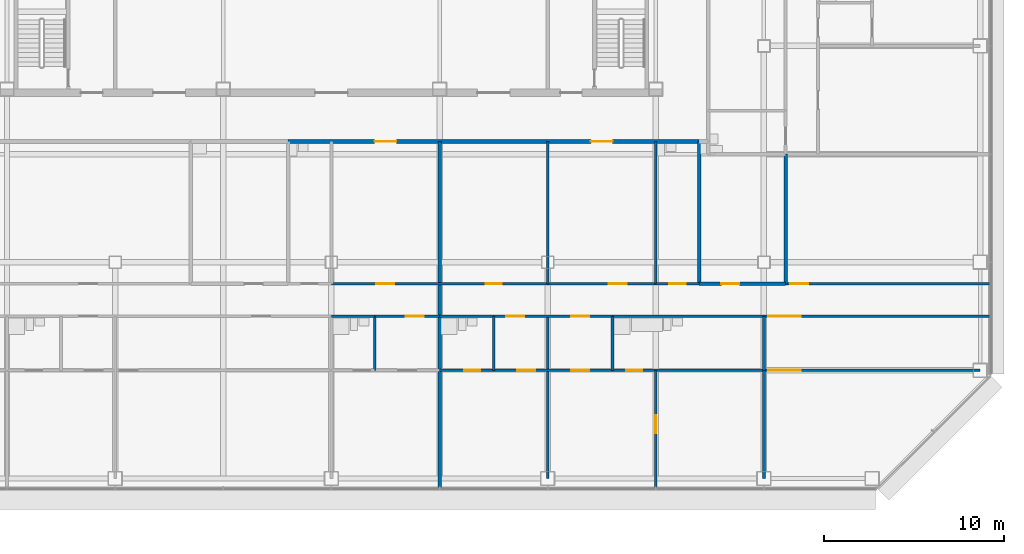
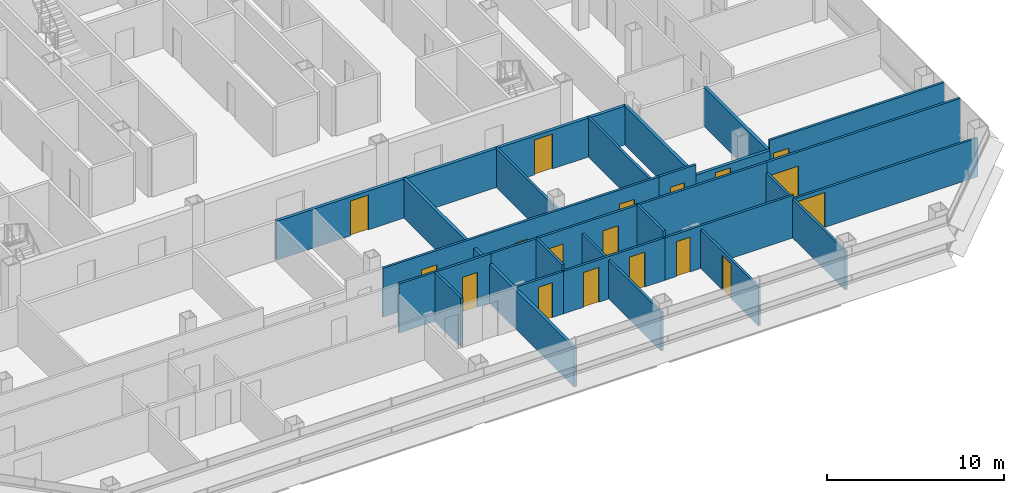
# One storey, part 20 of 26: 27 walls, 18 doors, 18 openings.
"""IFC4 building model written with IfcOpenShell, lengths in metres."""

import ifcopenshell
import ifcopenshell.guid

model = None  # the IFC model being written
_history = None  # IfcOwnerHistory: only IFC2X3 demands one
_inside = {}  # id of a spatial element -> (the spatial element, [elements in it])
_under = {}  # id of a project, library or spatial element -> (it, [spatial elements below it])
_declared = {}  # id of a project -> (the project, [libraries it declares])
_typed = {}  # id of a type object -> (the type object, [elements of that type])
_made_of = {}  # id of a material, layer set ... -> (it, [elements and type objects made of it])


def new_model(schema):
    """Start an empty IFC model of exactly this schema.

    Asked for "IFC4X3", IfcOpenShell would pick the latest addendum, in which some entities
    have other attributes; the version numbers below select the first issue.
    IFC2X3 requires an IfcOwnerHistory on every rooted entity: one is made here for all.
    """
    global model, _history
    if schema == "IFC4X3":
        model = ifcopenshell.file(schema_version=(4, 3, 0, 0))
    else:
        model = ifcopenshell.file(schema=schema)
    _inside.clear()
    _under.clear()
    _declared.clear()
    _typed.clear()
    _made_of.clear()
    _history = None
    if model.schema == "IFC2X3":
        org = make("IfcOrganization", Name="unknown")
        user = make(
            "IfcPersonAndOrganization",
            ThePerson=make("IfcPerson", FamilyName="unknown"),
            TheOrganization=org,
        )
        app = make(
            "IfcApplication",
            ApplicationDeveloper=org,
            Version="unknown",
            ApplicationFullName="unknown",
            ApplicationIdentifier="unknown",
        )
        _history = make(
            "IfcOwnerHistory",
            OwningUser=user,
            OwningApplication=app,
            ChangeAction="ADDED",
            CreationDate=0,
        )
    return model


def make(cls, **values):
    """One entity of the class cls with the attributes given. An attribute that is None is left unset."""
    return model.create_entity(
        cls, **{name: value for name, value in values.items() if value is not None}
    )


def rooted(cls, **values):
    """An entity with a GlobalId (a new one), such as an element, a storey or a relation."""
    return make(cls, GlobalId=ifcopenshell.guid.new(), OwnerHistory=_history, **values)


def si_unit(unit_type, name, prefix=None):
    """IfcSIUnit, for example si_unit("LENGTHUNIT", "METRE", prefix="MILLI")."""
    return make("IfcSIUnit", UnitType=unit_type, Prefix=prefix, Name=name)


def assignment(units):
    """IfcUnitAssignment: the units of a project."""
    return None if units is None else make("IfcUnitAssignment", Units=units)


def point(xyz):
    """IfcCartesianPoint."""
    return None if xyz is None else make("IfcCartesianPoint", Coordinates=xyz)


def direction(xyz):
    """IfcDirection."""
    return None if xyz is None else make("IfcDirection", DirectionRatios=xyz)


def frame(location, z_axis=None, x_axis=None):
    """IfcAxis2Placement3D, a coordinate frame: its origin and axes. An axis left out is left unset."""
    return make(
        "IfcAxis2Placement3D",
        Location=point(location),
        Axis=direction(z_axis),
        RefDirection=direction(x_axis),
    )


def frame_2d(location, x_axis=None):
    """IfcAxis2Placement2D, a coordinate frame in the plane: its origin and x axis."""
    return make(
        "IfcAxis2Placement2D", Location=point(location), RefDirection=direction(x_axis)
    )


def origin():
    """The frame at (0, 0, 0) with its axes left unset."""
    return frame((0.0, 0.0, 0.0))


def place(relative_to, where):
    """IfcLocalPlacement: puts the frame where relative to a parent placement (None: the world)."""
    return make(
        "IfcLocalPlacement", PlacementRelTo=relative_to, RelativePlacement=where
    )


def context(
    kind, dimensions, precision=None, world=None, true_north=None, identifier=None
):
    """IfcGeometricRepresentationContext, for example the 3D "Model" context."""
    return make(
        "IfcGeometricRepresentationContext",
        ContextIdentifier=identifier,
        ContextType=kind,
        CoordinateSpaceDimension=dimensions,
        Precision=precision,
        WorldCoordinateSystem=world,
        TrueNorth=true_north,
    )


def subcontext(parent, identifier, kind, view, scale=None):
    """IfcGeometricRepresentationSubContext, for example "Body" below "Model"."""
    return make(
        "IfcGeometricRepresentationSubContext",
        ContextIdentifier=identifier,
        ContextType=kind,
        ParentContext=parent,
        TargetScale=scale,
        TargetView=view,
    )


def project(units=None, contexts=None):
    """IfcProject with its units and contexts."""
    return rooted(
        "IfcProject",
        Name="project",
        RepresentationContexts=contexts,
        UnitsInContext=assignment(units),
    )


def spatial(cls, under=None, at=None, **own):
    """A site, building, storey or space (cls), placed at a placement, below another one or the project."""
    s = rooted(cls, ObjectPlacement=at, **own)
    if under is not None:
        _under.setdefault(under.id(), (under, []))[1].append(s)
    return s


def profile(cls, at=None, kind="AREA", **sizes):
    """A parametric profile (cls). Its sizes go by their IFC names, for example OverallWidth=200.0."""
    return make(cls, ProfileType=kind, Position=at, **sizes)


def rectangle(**sizes):
    """IfcRectangleProfileDef."""
    return profile("IfcRectangleProfileDef", **sizes)


def extrude(swept, where, along, depth):
    """IfcExtrudedAreaSolid: the profile swept, set in the frame where, extruded along a direction by depth."""
    return make(
        "IfcExtrudedAreaSolid",
        SweptArea=swept,
        Position=where,
        ExtrudedDirection=direction(along),
        Depth=depth,
    )


def shape(context_of_items, identifier, shape_type, items):
    """IfcShapeRepresentation: the items that make up one representation, for example the "Body"."""
    return make(
        "IfcShapeRepresentation",
        ContextOfItems=context_of_items,
        RepresentationIdentifier=identifier,
        RepresentationType=shape_type,
        Items=items,
    )


def material(Name=None, Category=None):
    """IfcMaterial."""
    return make("IfcMaterial", Name=Name, Category=Category)


def layer(
    of_material, thickness, ventilated=None, Name=None, Category=None, Priority=None
):
    """IfcMaterialLayer: one layer of a wall or slab, of a material (None: an air gap)."""
    return make(
        "IfcMaterialLayer",
        Material=of_material,
        LayerThickness=thickness,
        IsVentilated=ventilated,
        Name=Name,
        Category=Category,
        Priority=Priority,
    )


def layer_set(layers, Name=None):
    """IfcMaterialLayerSet."""
    return make("IfcMaterialLayerSet", MaterialLayers=layers, LayerSetName=Name)


def made_of(thing, what):
    """Note that an element or type object is made of a material, layer set ...; save() writes the relation."""
    if what is not None:
        _made_of.setdefault(what.id(), (what, []))[1].append(thing)
    return thing


def type_object(cls, material=None, **own):
    """A type object (cls), such as IfcWallType, which elements share."""
    return made_of(rooted(cls, **own), material)


def element(
    cls,
    number,
    at=None,
    inside=None,
    cuts=None,
    type_object=None,
    material=None,
    context=None,
    identifier="Body",
    shape_type=None,
    held_by="IfcProductDefinitionShape",
    body=None,
    shapes=None,
    **own,
):
    """One element of the class cls, such as IfcWall. Its Tag is "e" and its number.

    at: its placement. inside: the storey or other place that contains it. cuts: it is an
    opening in that element (IfcRelVoidsElement). A single representation is given by context,
    identifier, shape_type and body (its items); several are given by shapes. held_by: the class
    of the entity that holds the representations. save() writes the other relations.
    """
    e = rooted(cls, Tag="e%d" % number, ObjectPlacement=at, **own)
    if body is not None:
        shapes = [shape(context, identifier, shape_type, body)]
    if shapes is not None:
        e.Representation = make(held_by, Representations=shapes)
    if inside is not None:
        _inside.setdefault(inside.id(), (inside, []))[1].append(e)
    if cuts is not None:
        rooted(
            "IfcRelVoidsElement", RelatingBuildingElement=cuts, RelatedOpeningElement=e
        )
    if type_object is not None:
        _typed.setdefault(type_object.id(), (type_object, []))[1].append(e)
    return made_of(e, material)


def fill(opening, filler):
    """IfcRelFillsElement: the door or window that sits in an opening."""
    return rooted(
        "IfcRelFillsElement",
        RelatingOpeningElement=opening,
        RelatedBuildingElement=filler,
    )


def aggregate(whole, parts):
    """IfcRelAggregates: a whole, such as a stair, and the parts it consists of."""
    return rooted("IfcRelAggregates", RelatingObject=whole, RelatedObjects=parts)


def save(model, path):
    """Write the relations noted so far, then the file.

    IfcRelAggregates (storeys below a building ...), IfcRelContainedInSpatialStructure (elements
    in a storey), IfcRelDefinesByType, IfcRelAssociatesMaterial and IfcRelDeclares: one each for
    every whole, place, type object, material and project.
    """
    for whole, parts in _under.values():
        aggregate(whole, parts)
    for where, things in _inside.values():
        rooted(
            "IfcRelContainedInSpatialStructure",
            RelatedElements=things,
            RelatingStructure=where,
        )
    for kind, things in _typed.values():
        rooted("IfcRelDefinesByType", RelatedObjects=things, RelatingType=kind)
    for what, things in _made_of.values():
        rooted("IfcRelAssociatesMaterial", RelatedObjects=things, RelatingMaterial=what)
    for by, libraries in _declared.values():
        rooted("IfcRelDeclares", RelatingContext=by, RelatedDefinitions=libraries)
    model.write(path)


model = new_model("IFC4")

# Units and contexts
model_context = context("Model", 3, precision=1e-05, world=origin(), true_north=direction((0.0, 1.0)))
body_context = subcontext(model_context, "Body", "Model", "MODEL_VIEW")
ifc_project = project(units=[si_unit("LENGTHUNIT", "METRE"), si_unit("AREAUNIT", "SQUARE_METRE"), si_unit("VOLUMEUNIT", "CUBIC_METRE"), si_unit("PLANEANGLEUNIT", "RADIAN"), si_unit("MASSUNIT", "GRAM", prefix="KILO")], contexts=[model_context])

# Site, building, storey
site_placement = place(None, origin())
site = spatial("IfcSite", under=ifc_project, at=site_placement, CompositionType="ELEMENT")
building_placement = place(site_placement, origin())
building = spatial("IfcBuilding", under=site, at=building_placement, Name="Sorahane Residences", CompositionType="ELEMENT")
storey_placement = place(building_placement, frame((0.0, 0.0, 110.60009765625)))
storey = spatial("IfcBuildingStorey", under=building, at=storey_placement, Name="L24", CompositionType="ELEMENT", Elevation=110.60009765625)

# Wall, openings, doors
ifc_material_1 = material(Name="Concrete blockwork C20 wall", Category="masonry")
ifc_layer_1 = layer(ifc_material_1, 0.199951171875)
ifc_layer_set_1 = layer_set([ifc_layer_1], Name="Corridor wall 200 EI 120")
wall_type_1 = type_object("IfcWallType", Name="Corridor wall 200 EI 120", PredefinedType="SOLIDWALL", material=ifc_layer_set_1)
wall_1_placement = place(storey_placement, frame((21.60009765625, 18.699951171875, 0.0), z_axis=(0.0, 0.0, 1.0), x_axis=(1.0, 0.0, 0.0)))
wall_1 = element("IfcWall", 1, at=wall_1_placement, inside=storey, type_object=wall_type_1, Name="L24 corridor wall", PredefinedType="SOLIDWALL", context=body_context, shape_type="SweptSolid", body=[
    extrude(rectangle(XDim=22.7998046875, YDim=0.199951171875, at=frame_2d((11.39990234375, 0.0))), origin(), (0.0, 0.0, 1.0), 2.679931640625),
])
opening_1_placement = place(wall_1_placement, frame((4.800048828125, 0.0, 0.0)))
opening_1 = element("IfcOpeningElement", 2, at=opening_1_placement, cuts=wall_1, Name="Opening L24-44", PredefinedType="OPENING", context=body_context, shape_type="SweptSolid", body=[
    extrude(rectangle(XDim=1.199951171875, YDim=2.39990234375, at=frame_2d((0.60009765625, 1.199951171875))), frame((0.0, 0.10986328125, 0.0), z_axis=(0.0, -1.0, 0.0), x_axis=(1.0, 0.0, 0.0)), (0.0, 0.0, 1.0), 0.219970703125),
])
opening_2_placement = place(wall_1_placement, frame((16.800048828125, 0.0, 0.0)))
opening_2 = element("IfcOpeningElement", 3, at=opening_2_placement, cuts=wall_1, Name="Opening L24-45", PredefinedType="OPENING", context=body_context, shape_type="SweptSolid", body=[
    extrude(rectangle(XDim=1.199951171875, YDim=2.39990234375, at=frame_2d((0.60009765625, 1.199951171875))), frame((0.0, 0.10986328125, 0.0), z_axis=(0.0, -1.0, 0.0), x_axis=(1.0, 0.0, 0.0)), (0.0, 0.0, 1.0), 0.219970703125),
])
ifc_material_2 = material(Name="Timber veneered fire door", Category="wood")
door_type_1 = type_object("IfcDoorType", Name="Flat entrance door 1200x2400 FD60", OperationType="NOTDEFINED", PredefinedType="DOOR", material=ifc_material_2)
door_1_placement = place(opening_1_placement, frame((1.199951171875, 0.0, 0.0), z_axis=(0.0, 0.0, 1.0), x_axis=(-1.0, 0.0, 0.0)))
door_1 = element("IfcDoor", 4, at=door_1_placement, inside=storey, type_object=door_type_1, Name="Flat entrance door L24-44", OperationType="SINGLE_SWING_LEFT", OverallHeight=2.39990234375, OverallWidth=1.199951171875, PredefinedType="DOOR", context=body_context, shape_type="SweptSolid", body=[
    extrude(rectangle(XDim=1.199951171875, YDim=2.39990234375, at=frame_2d((0.60009765625, 1.199951171875))), frame((0.0, 0.02490234375, 0.0), z_axis=(0.0, -1.0, 0.0), x_axis=(1.0, 0.0, 0.0)), (0.0, 0.0, 1.0), 0.050048828125),
])
fill(opening_1, door_1)
door_2_placement = place(opening_2_placement, frame((1.199951171875, 0.0, 0.0), z_axis=(0.0, 0.0, 1.0), x_axis=(-1.0, 0.0, 0.0)))
door_2 = element("IfcDoor", 5, at=door_2_placement, inside=storey, type_object=door_type_1, Name="Flat entrance door L24-45", OperationType="SINGLE_SWING_RIGHT", OverallHeight=2.39990234375, OverallWidth=1.199951171875, PredefinedType="DOOR", context=body_context, shape_type="SweptSolid", body=[
    extrude(rectangle(XDim=1.199951171875, YDim=2.39990234375, at=frame_2d((0.60009765625, 1.199951171875))), frame((0.0, 0.02490234375, 0.0), z_axis=(0.0, -1.0, 0.0), x_axis=(1.0, 0.0, 0.0)), (0.0, 0.0, 1.0), 0.050048828125),
])
fill(opening_2, door_2)

# Walls
ifc_material_3 = material(Name="Concrete blockwork C20 wall", Category="masonry")
ifc_layer_2 = layer(ifc_material_3, 0.199951171875)
ifc_layer_set_2 = layer_set([ifc_layer_2], Name="Kitchen wall 200 EI 180")
wall_type_2 = type_object("IfcWallType", Name="Kitchen wall 200 EI 180", PredefinedType="SOLIDWALL", material=ifc_layer_set_2)
wall_2_placement = place(storey_placement, frame((44.39990234375, 10.800048828125, 0.0), z_axis=(0.0, 0.0, 1.0), x_axis=(0.0, 1.0, 0.0)))
element("IfcWall", 6, at=wall_2_placement, inside=storey, type_object=wall_type_2, Name="L24 kitchen wall", PredefinedType="SOLIDWALL", context=body_context, shape_type="SweptSolid", body=[
    extrude(rectangle(XDim=7.89990234375, YDim=0.199951171875, at=frame_2d((3.949951171875, 0.0))), origin(), (0.0, 0.0, 1.0), 2.679931640625),
])
wall_3_placement = place(storey_placement, frame((49.199951171875, 10.800048828125, 0.0), z_axis=(0.0, 0.0, 1.0), x_axis=(0.0, 1.0, 0.0)))
element("IfcWall", 7, at=wall_3_placement, inside=storey, type_object=wall_type_2, Name="L24 kitchen wall", PredefinedType="SOLIDWALL", context=body_context, shape_type="SweptSolid", body=[
    extrude(rectangle(XDim=7.199951171875, YDim=0.199951171875, at=frame_2d((3.60009765625, 0.0))), origin(), (0.0, 0.0, 1.0), 2.679931640625),
])

# Wall, opening, door
wall_4_placement = place(storey_placement, frame((44.39990234375, 10.800048828125, 0.0), z_axis=(0.0, 0.0, 1.0), x_axis=(1.0, 0.0, 0.0)))
wall_4 = element("IfcWall", 8, at=wall_4_placement, inside=storey, type_object=wall_type_2, Name="L24 kitchen wall", PredefinedType="SOLIDWALL", context=body_context, shape_type="SweptSolid", body=[
    extrude(rectangle(XDim=4.800048828125, YDim=0.199951171875, at=frame_2d((2.39990234375, 0.0))), origin(), (0.0, 0.0, 1.0), 2.679931640625),
])
opening_3_placement = place(wall_4_placement, frame((1.239990234375, 0.0, 0.0)))
opening_3 = element("IfcOpeningElement", 9, at=opening_3_placement, cuts=wall_4, Name="Opening L24-19", PredefinedType="OPENING", context=body_context, shape_type="SweptSolid", body=[
    extrude(rectangle(XDim=1.0, YDim=2.39990234375, at=frame_2d((0.5, 1.199951171875))), frame((0.0, 0.10986328125, 0.0), z_axis=(0.0, -1.0, 0.0), x_axis=(1.0, 0.0, 0.0)), (0.0, 0.0, 1.0), 0.219970703125),
])
ifc_material_4 = material(Name="Steel", Category="steel")
door_type_2 = type_object("IfcDoorType", Name="Kitchen door 1000x2400 FD120", OperationType="NOTDEFINED", PredefinedType="DOOR", material=ifc_material_4)
door_3_placement = place(opening_3_placement, origin())
door_3 = element("IfcDoor", 10, at=door_3_placement, inside=storey, type_object=door_type_2, Name="Kitchen door L24-19", OperationType="SINGLE_SWING_LEFT", OverallHeight=2.39990234375, OverallWidth=1.0, PredefinedType="DOOR", context=body_context, shape_type="SweptSolid", body=[
    extrude(rectangle(XDim=1.0, YDim=2.39990234375, at=frame_2d((0.5, 1.199951171875))), frame((0.0, 0.02490234375, 0.0), z_axis=(0.0, -1.0, 0.0), x_axis=(1.0, 0.0, 0.0)), (0.0, 0.0, 1.0), 0.050048828125),
])
fill(opening_3, door_3)

# Walls
ifc_material_5 = material(Name="Gypsum board partition on steel studs", Category="steel")
ifc_layer_3 = layer(ifc_material_5, 0.14990234375)
ifc_layer_set_3 = layer_set([ifc_layer_3], Name="Partition 150 EI 90")
wall_type_3 = type_object("IfcWallType", Name="Partition 150 EI 90", PredefinedType="PARTITIONING", material=ifc_layer_set_3)
wall_5_placement = place(storey_placement, frame((36.0, 0.0, 0.0), z_axis=(0.0, 0.0, 1.0), x_axis=(0.0, 1.0, 0.0)))
element("IfcWall", 11, at=wall_5_placement, inside=storey, type_object=wall_type_3, Name="L24 partition", PredefinedType="PARTITIONING", context=body_context, shape_type="SweptSolid", body=[
    extrude(rectangle(XDim=9.0, YDim=0.14990234375, at=frame_2d((4.5, 0.0))), origin(), (0.0, 0.0, 1.0), 2.679931640625),
])
wall_6_placement = place(storey_placement, frame((36.0, 10.800048828125, 0.0), z_axis=(0.0, 0.0, 1.0), x_axis=(0.0, 1.0, 0.0)))
element("IfcWall", 12, at=wall_6_placement, inside=storey, type_object=wall_type_3, Name="L24 partition", PredefinedType="PARTITIONING", context=body_context, shape_type="SweptSolid", body=[
    extrude(rectangle(XDim=7.89990234375, YDim=0.14990234375, at=frame_2d((3.949951171875, 0.0))), origin(), (0.0, 0.0, 1.0), 2.679931640625),
])

# Wall, opening, door
wall_7_placement = place(storey_placement, frame((42.0, -0.60009765625, 0.0), z_axis=(0.0, 0.0, 1.0), x_axis=(0.0, 1.0, 0.0)))
wall_7 = element("IfcWall", 13, at=wall_7_placement, inside=storey, type_object=wall_type_3, Name="L24 partition", PredefinedType="PARTITIONING", context=body_context, shape_type="SweptSolid", body=[
    extrude(rectangle(XDim=6.60009765625, YDim=0.14990234375, at=frame_2d((3.300048828125, 0.0))), origin(), (0.0, 0.0, 1.0), 2.679931640625),
])
opening_4_placement = place(wall_7_placement, frame((3.10009765625, 0.0, 0.0)))
opening_4 = element("IfcOpeningElement", 14, at=opening_4_placement, cuts=wall_7, Name="Opening L24-27", PredefinedType="OPENING", context=body_context, shape_type="SweptSolid", body=[
    extrude(rectangle(XDim=1.0, YDim=2.39990234375, at=frame_2d((0.5, 1.199951171875))), frame((0.0, 0.0849609375, 0.0), z_axis=(0.0, -1.0, 0.0), x_axis=(1.0, 0.0, 0.0)), (0.0, 0.0, 1.0), 0.169921875),
])
ifc_material_6 = material(Name="Timber veneered fire door", Category="wood")
door_type_3 = type_object("IfcDoorType", Name="Room door 1000x2400 FD30", OperationType="NOTDEFINED", PredefinedType="DOOR", material=ifc_material_6)
door_4_placement = place(opening_4_placement, frame((1.0, 0.0, 0.0), z_axis=(0.0, 0.0, 1.0), x_axis=(-1.0, 0.0, 0.0)))
door_4 = element("IfcDoor", 15, at=door_4_placement, inside=storey, type_object=door_type_3, Name="Room door L24-27", OperationType="SINGLE_SWING_RIGHT", OverallHeight=2.39990234375, OverallWidth=1.0, PredefinedType="DOOR", context=body_context, shape_type="SweptSolid", body=[
    extrude(rectangle(XDim=1.0, YDim=2.39990234375, at=frame_2d((0.5, 1.199951171875))), frame((0.0, 0.02490234375, 0.0), z_axis=(0.0, -1.0, 0.0), x_axis=(1.0, 0.0, 0.0)), (0.0, 0.0, 1.0), 0.050048828125),
])
fill(opening_4, door_4)

# Wall
wall_8_placement = place(storey_placement, frame((48.0, 0.0, 0.0), z_axis=(0.0, 0.0, 1.0), x_axis=(0.0, 1.0, 0.0)))
element("IfcWall", 16, at=wall_8_placement, inside=storey, type_object=wall_type_3, Name="L24 partition", PredefinedType="PARTITIONING", context=body_context, shape_type="SweptSolid", body=[
    extrude(rectangle(XDim=6.0, YDim=0.14990234375, at=frame_2d((3.0, 0.0))), origin(), (0.0, 0.0, 1.0), 2.679931640625),
])

# Wall, openings, doors
wall_9_placement = place(storey_placement, frame((24.0, 10.800048828125, 0.0), z_axis=(0.0, 0.0, 1.0), x_axis=(1.0, 0.0, 0.0)))
wall_9 = element("IfcWall", 17, at=wall_9_placement, inside=storey, type_object=wall_type_3, Name="L24 partition", PredefinedType="PARTITIONING", context=body_context, shape_type="SweptSolid", body=[
    extrude(rectangle(XDim=18.0, YDim=0.14990234375, at=frame_2d((9.0, 0.0))), origin(), (0.0, 0.0, 1.0), 3.3798828125),
])
opening_5_placement = place(wall_9_placement, frame((2.5, 0.0, 0.0)))
opening_5 = element("IfcOpeningElement", 18, at=opening_5_placement, cuts=wall_9, Name="Opening L24-01", PredefinedType="OPENING", context=body_context, shape_type="SweptSolid", body=[
    extrude(rectangle(XDim=1.0, YDim=2.39990234375, at=frame_2d((0.5, 1.199951171875))), frame((0.0, 0.0849609375, 0.0), z_axis=(0.0, -1.0, 0.0), x_axis=(1.0, 0.0, 0.0)), (0.0, 0.0, 1.0), 0.169921875),
])
opening_6_placement = place(wall_9_placement, frame((15.39990234375, 0.0, 0.0)))
opening_6 = element("IfcOpeningElement", 19, at=opening_6_placement, cuts=wall_9, Name="Opening L24-16", PredefinedType="OPENING", context=body_context, shape_type="SweptSolid", body=[
    extrude(rectangle(XDim=1.0, YDim=2.39990234375, at=frame_2d((0.5, 1.199951171875))), frame((0.0, 0.0849609375, 0.0), z_axis=(0.0, -1.0, 0.0), x_axis=(1.0, 0.0, 0.0)), (0.0, 0.0, 1.0), 0.169921875),
])
opening_7_placement = place(wall_9_placement, frame((8.550048828125, 0.0, 0.0)))
opening_7 = element("IfcOpeningElement", 20, at=opening_7_placement, cuts=wall_9, Name="Opening L24-17", PredefinedType="OPENING", context=body_context, shape_type="SweptSolid", body=[
    extrude(rectangle(XDim=0.89990234375, YDim=2.10009765625, at=frame_2d((0.449951171875, 1.050048828125))), frame((0.0, 0.0849609375, 0.0), z_axis=(0.0, -1.0, 0.0), x_axis=(1.0, 0.0, 0.0)), (0.0, 0.0, 1.0), 0.169921875),
])
door_5_placement = place(opening_5_placement, frame((1.0, 0.0, 0.0), z_axis=(0.0, 0.0, 1.0), x_axis=(-1.0, 0.0, 0.0)))
door_5 = element("IfcDoor", 21, at=door_5_placement, inside=storey, type_object=door_type_3, Name="Room door L24-01", OperationType="SINGLE_SWING_LEFT", OverallHeight=2.39990234375, OverallWidth=1.0, PredefinedType="DOOR", context=body_context, shape_type="SweptSolid", body=[
    extrude(rectangle(XDim=1.0, YDim=2.39990234375, at=frame_2d((0.5, 1.199951171875))), frame((0.0, 0.02490234375, 0.0), z_axis=(0.0, -1.0, 0.0), x_axis=(1.0, 0.0, 0.0)), (0.0, 0.0, 1.0), 0.050048828125),
])
fill(opening_5, door_5)
door_6_placement = place(opening_6_placement, frame((1.0, 0.0, 0.0), z_axis=(0.0, 0.0, 1.0), x_axis=(-1.0, 0.0, 0.0)))
door_6 = element("IfcDoor", 22, at=door_6_placement, inside=storey, type_object=door_type_3, Name="Room door L24-16", OperationType="SINGLE_SWING_RIGHT", OverallHeight=2.39990234375, OverallWidth=1.0, PredefinedType="DOOR", context=body_context, shape_type="SweptSolid", body=[
    extrude(rectangle(XDim=1.0, YDim=2.39990234375, at=frame_2d((0.5, 1.199951171875))), frame((0.0, 0.02490234375, 0.0), z_axis=(0.0, -1.0, 0.0), x_axis=(1.0, 0.0, 0.0)), (0.0, 0.0, 1.0), 0.050048828125),
])
fill(opening_6, door_6)
ifc_material_7 = material(Name="Timber veneered fire door", Category="wood")
door_type_4 = type_object("IfcDoorType", Name="Service door 900x2100 FD30", OperationType="NOTDEFINED", PredefinedType="DOOR", material=ifc_material_7)
door_7_placement = place(opening_7_placement, origin())
door_7 = element("IfcDoor", 23, at=door_7_placement, inside=storey, type_object=door_type_4, Name="Service door L24-17", OperationType="SINGLE_SWING_LEFT", OverallHeight=2.10009765625, OverallWidth=0.89990234375, PredefinedType="DOOR", context=body_context, shape_type="SweptSolid", body=[
    extrude(rectangle(XDim=0.89990234375, YDim=2.10009765625, at=frame_2d((0.449951171875, 1.050048828125))), frame((0.0, 0.02490234375, 0.0), z_axis=(0.0, -1.0, 0.0), x_axis=(1.0, 0.0, 0.0)), (0.0, 0.0, 1.0), 0.050048828125),
])
fill(opening_7, door_7)

# Wall, opening, door
wall_10_placement = place(storey_placement, frame((49.199951171875, 10.800048828125, 0.0), z_axis=(0.0, 0.0, 1.0), x_axis=(1.0, 0.0, 0.0)))
wall_10 = element("IfcWall", 24, at=wall_10_placement, inside=storey, type_object=wall_type_3, Name="L24 partition", PredefinedType="PARTITIONING", context=body_context, shape_type="SweptSolid", body=[
    extrude(rectangle(XDim=11.400146484375, YDim=0.14990234375, at=frame_2d((5.7001953125, 0.0))), origin(), (0.0, 0.0, 1.0), 3.3798828125),
])
opening_8_placement = place(wall_10_placement, frame((0.25, 0.0, 0.0)))
opening_8 = element("IfcOpeningElement", 25, at=opening_8_placement, cuts=wall_10, Name="Opening L24-20", PredefinedType="OPENING", context=body_context, shape_type="SweptSolid", body=[
    extrude(rectangle(XDim=1.0, YDim=2.39990234375, at=frame_2d((0.5, 1.199951171875))), frame((0.0, 0.0849609375, 0.0), z_axis=(0.0, -1.0, 0.0), x_axis=(1.0, 0.0, 0.0)), (0.0, 0.0, 1.0), 0.169921875),
])
door_8_placement = place(opening_8_placement, origin())
door_8 = element("IfcDoor", 26, at=door_8_placement, inside=storey, type_object=door_type_3, Name="Room door L24-20", OperationType="SINGLE_SWING_LEFT", OverallHeight=2.39990234375, OverallWidth=1.0, PredefinedType="DOOR", context=body_context, shape_type="SweptSolid", body=[
    extrude(rectangle(XDim=1.0, YDim=2.39990234375, at=frame_2d((0.5, 1.199951171875))), frame((0.0, 0.02490234375, 0.0), z_axis=(0.0, -1.0, 0.0), x_axis=(1.0, 0.0, 0.0)), (0.0, 0.0, 1.0), 0.050048828125),
])
fill(opening_8, door_8)

# Wall, openings, doors
wall_11_placement = place(storey_placement, frame((33.0, 6.0, 0.0), z_axis=(0.0, 0.0, 1.0), x_axis=(1.0, 0.0, 0.0)))
wall_11 = element("IfcWall", 27, at=wall_11_placement, inside=storey, type_object=wall_type_3, Name="L24 partition", PredefinedType="PARTITIONING", context=body_context, shape_type="SweptSolid", body=[
    extrude(rectangle(XDim=6.60009765625, YDim=0.14990234375, at=frame_2d((3.300048828125, 0.0))), origin(), (0.0, 0.0, 1.0), 2.929931640625),
])
opening_9_placement = place(wall_11_placement, frame((1.300048828125, 0.0, 0.0)))
opening_9 = element("IfcOpeningElement", 28, at=opening_9_placement, cuts=wall_11, Name="Opening L24-24", PredefinedType="OPENING", context=body_context, shape_type="SweptSolid", body=[
    extrude(rectangle(XDim=1.0, YDim=2.39990234375, at=frame_2d((0.5, 1.199951171875))), frame((0.0, 0.0849609375, 0.0), z_axis=(0.0, -1.0, 0.0), x_axis=(1.0, 0.0, 0.0)), (0.0, 0.0, 1.0), 0.169921875),
])
opening_10_placement = place(wall_11_placement, frame((4.300048828125, 0.0, 0.0)))
opening_10 = element("IfcOpeningElement", 29, at=opening_10_placement, cuts=wall_11, Name="Opening L24-26", PredefinedType="OPENING", context=body_context, shape_type="SweptSolid", body=[
    extrude(rectangle(XDim=1.0, YDim=2.39990234375, at=frame_2d((0.5, 1.199951171875))), frame((0.0, 0.0849609375, 0.0), z_axis=(0.0, -1.0, 0.0), x_axis=(1.0, 0.0, 0.0)), (0.0, 0.0, 1.0), 0.169921875),
])
door_9_placement = place(opening_9_placement, frame((1.0, 0.0, 0.0), z_axis=(0.0, 0.0, 1.0), x_axis=(-1.0, 0.0, 0.0)))
door_9 = element("IfcDoor", 30, at=door_9_placement, inside=storey, type_object=door_type_3, Name="Room door L24-24", OperationType="SINGLE_SWING_LEFT", OverallHeight=2.39990234375, OverallWidth=1.0, PredefinedType="DOOR", context=body_context, shape_type="SweptSolid", body=[
    extrude(rectangle(XDim=1.0, YDim=2.39990234375, at=frame_2d((0.5, 1.199951171875))), frame((0.0, 0.02490234375, 0.0), z_axis=(0.0, -1.0, 0.0), x_axis=(1.0, 0.0, 0.0)), (0.0, 0.0, 1.0), 0.050048828125),
])
fill(opening_9, door_9)
door_10_placement = place(opening_10_placement, frame((1.0, 0.0, 0.0), z_axis=(0.0, 0.0, 1.0), x_axis=(-1.0, 0.0, 0.0)))
door_10 = element("IfcDoor", 31, at=door_10_placement, inside=storey, type_object=door_type_3, Name="Room door L24-26", OperationType="SINGLE_SWING_LEFT", OverallHeight=2.39990234375, OverallWidth=1.0, PredefinedType="DOOR", context=body_context, shape_type="SweptSolid", body=[
    extrude(rectangle(XDim=1.0, YDim=2.39990234375, at=frame_2d((0.5, 1.199951171875))), frame((0.0, 0.02490234375, 0.0), z_axis=(0.0, -1.0, 0.0), x_axis=(1.0, 0.0, 0.0)), (0.0, 0.0, 1.0), 0.050048828125),
])
fill(opening_10, door_10)

# Wall, opening, door
wall_12_placement = place(storey_placement, frame((48.0, 6.0, 0.0), z_axis=(0.0, 0.0, 1.0), x_axis=(1.0, 0.0, 0.0)))
wall_12 = element("IfcWall", 32, at=wall_12_placement, inside=storey, type_object=wall_type_3, Name="L24 partition", PredefinedType="PARTITIONING", context=body_context, shape_type="SweptSolid", body=[
    extrude(rectangle(XDim=12.0, YDim=0.14990234375, at=frame_2d((6.0, 0.0))), origin(), (0.0, 0.0, 1.0), 2.679931640625),
])
opening_11_placement = place(wall_12_placement, frame((0.25, 0.0, 0.0)))
opening_11 = element("IfcOpeningElement", 33, at=opening_11_placement, cuts=wall_12, Name="Opening L24-29", PredefinedType="OPENING", context=body_context, shape_type="SweptSolid", body=[
    extrude(rectangle(XDim=1.800048828125, YDim=2.39990234375, at=frame_2d((0.89990234375, 1.199951171875))), frame((0.0, 0.0849609375, 0.0), z_axis=(0.0, -1.0, 0.0), x_axis=(1.0, 0.0, 0.0)), (0.0, 0.0, 1.0), 0.169921875),
])
ifc_material_8 = material(Name="Timber veneered fire door", Category="wood")
door_type_5 = type_object("IfcDoorType", Name="Double door 1800x2400 FD30", OperationType="NOTDEFINED", PredefinedType="DOOR", material=ifc_material_8)
door_11_placement = place(opening_11_placement, frame((1.800048828125, 0.0, 0.0), z_axis=(0.0, 0.0, 1.0), x_axis=(-1.0, 0.0, 0.0)))
door_11 = element("IfcDoor", 34, at=door_11_placement, inside=storey, type_object=door_type_5, Name="Double door L24-29", OperationType="SINGLE_SWING_RIGHT", OverallHeight=2.39990234375, OverallWidth=1.800048828125, PredefinedType="DOOR", context=body_context, shape_type="SweptSolid", body=[
    extrude(rectangle(XDim=1.800048828125, YDim=2.39990234375, at=frame_2d((0.89990234375, 1.199951171875))), frame((0.0, 0.02490234375, 0.0), z_axis=(0.0, -1.0, 0.0), x_axis=(1.0, 0.0, 0.0)), (0.0, 0.0, 1.0), 0.050048828125),
])
fill(opening_11, door_11)

wall_13_placement = place(storey_placement, frame((26.39990234375, 9.0, 0.0), z_axis=(0.0, 0.0, 1.0), x_axis=(1.0, 0.0, 0.0)))
wall_13 = element("IfcWall", 35, at=wall_13_placement, inside=storey, type_object=wall_type_3, Name="L24 partition", PredefinedType="PARTITIONING", context=body_context, shape_type="SweptSolid", body=[
    extrude(rectangle(XDim=3.60009765625, YDim=0.14990234375, at=frame_2d((1.800048828125, 0.0))), origin(), (0.0, 0.0, 1.0), 3.3798828125),
])
opening_12_placement = place(wall_13_placement, frame((1.719970703125, 0.0, 0.0)))
opening_12 = element("IfcOpeningElement", 36, at=opening_12_placement, cuts=wall_13, Name="Opening L24-09", PredefinedType="OPENING", context=body_context, shape_type="SweptSolid", body=[
    extrude(rectangle(XDim=1.0, YDim=2.39990234375, at=frame_2d((0.5, 1.199951171875))), frame((0.0, 0.0849609375, 0.0), z_axis=(0.0, -1.0, 0.0), x_axis=(1.0, 0.0, 0.0)), (0.0, 0.0, 1.0), 0.169921875),
])
door_12_placement = place(opening_12_placement, frame((1.0, 0.0, 0.0), z_axis=(0.0, 0.0, 1.0), x_axis=(-1.0, 0.0, 0.0)))
door_12 = element("IfcDoor", 37, at=door_12_placement, inside=storey, type_object=door_type_3, Name="Room door L24-09", OperationType="SINGLE_SWING_RIGHT", OverallHeight=2.39990234375, OverallWidth=1.0, PredefinedType="DOOR", context=body_context, shape_type="SweptSolid", body=[
    extrude(rectangle(XDim=1.0, YDim=2.39990234375, at=frame_2d((0.5, 1.199951171875))), frame((0.0, 0.02490234375, 0.0), z_axis=(0.0, -1.0, 0.0), x_axis=(1.0, 0.0, 0.0)), (0.0, 0.0, 1.0), 0.050048828125),
])
fill(opening_12, door_12)

# Wall, openings, doors
wall_14_placement = place(storey_placement, frame((33.0, 9.0, 0.0), z_axis=(0.0, 0.0, 1.0), x_axis=(1.0, 0.0, 0.0)))
wall_14 = element("IfcWall", 38, at=wall_14_placement, inside=storey, type_object=wall_type_3, Name="L24 partition", PredefinedType="PARTITIONING", context=body_context, shape_type="SweptSolid", body=[
    extrude(rectangle(XDim=6.60009765625, YDim=0.14990234375, at=frame_2d((3.300048828125, 0.0))), origin(), (0.0, 0.0, 1.0), 3.3798828125),
])
opening_13_placement = place(wall_14_placement, frame((0.699951171875, 0.0, 0.0)))
opening_13 = element("IfcOpeningElement", 39, at=opening_13_placement, cuts=wall_14, Name="Opening L24-21", PredefinedType="OPENING", context=body_context, shape_type="SweptSolid", body=[
    extrude(rectangle(XDim=1.0, YDim=2.39990234375, at=frame_2d((0.5, 1.199951171875))), frame((0.0, 0.0849609375, 0.0), z_axis=(0.0, -1.0, 0.0), x_axis=(1.0, 0.0, 0.0)), (0.0, 0.0, 1.0), 0.169921875),
])
opening_14_placement = place(wall_14_placement, frame((4.300048828125, 0.0, 0.0)))
opening_14 = element("IfcOpeningElement", 40, at=opening_14_placement, cuts=wall_14, Name="Opening L24-22", PredefinedType="OPENING", context=body_context, shape_type="SweptSolid", body=[
    extrude(rectangle(XDim=1.0, YDim=2.39990234375, at=frame_2d((0.5, 1.199951171875))), frame((0.0, 0.0849609375, 0.0), z_axis=(0.0, -1.0, 0.0), x_axis=(1.0, 0.0, 0.0)), (0.0, 0.0, 1.0), 0.169921875),
])
door_13_placement = place(opening_13_placement, frame((1.0, 0.0, 0.0), z_axis=(0.0, 0.0, 1.0), x_axis=(-1.0, 0.0, 0.0)))
door_13 = element("IfcDoor", 41, at=door_13_placement, inside=storey, type_object=door_type_3, Name="Room door L24-21", OperationType="SINGLE_SWING_LEFT", OverallHeight=2.39990234375, OverallWidth=1.0, PredefinedType="DOOR", context=body_context, shape_type="SweptSolid", body=[
    extrude(rectangle(XDim=1.0, YDim=2.39990234375, at=frame_2d((0.5, 1.199951171875))), frame((0.0, 0.02490234375, 0.0), z_axis=(0.0, -1.0, 0.0), x_axis=(1.0, 0.0, 0.0)), (0.0, 0.0, 1.0), 0.050048828125),
])
fill(opening_13, door_13)
door_14_placement = place(opening_14_placement, frame((1.0, 0.0, 0.0), z_axis=(0.0, 0.0, 1.0), x_axis=(-1.0, 0.0, 0.0)))
door_14 = element("IfcDoor", 42, at=door_14_placement, inside=storey, type_object=door_type_3, Name="Room door L24-22", OperationType="SINGLE_SWING_LEFT", OverallHeight=2.39990234375, OverallWidth=1.0, PredefinedType="DOOR", context=body_context, shape_type="SweptSolid", body=[
    extrude(rectangle(XDim=1.0, YDim=2.39990234375, at=frame_2d((0.5, 1.199951171875))), frame((0.0, 0.02490234375, 0.0), z_axis=(0.0, -1.0, 0.0), x_axis=(1.0, 0.0, 0.0)), (0.0, 0.0, 1.0), 0.050048828125),
])
fill(opening_14, door_14)

# Wall, opening, door
wall_15_placement = place(storey_placement, frame((48.0, 9.0, 0.0), z_axis=(0.0, 0.0, 1.0), x_axis=(1.0, 0.0, 0.0)))
wall_15 = element("IfcWall", 43, at=wall_15_placement, inside=storey, type_object=wall_type_3, Name="L24 partition", PredefinedType="PARTITIONING", context=body_context, shape_type="SweptSolid", body=[
    extrude(rectangle(XDim=12.60009765625, YDim=0.14990234375, at=frame_2d((6.300048828125, 0.0))), origin(), (0.0, 0.0, 1.0), 3.3798828125),
])
opening_15_placement = place(wall_15_placement, frame((0.25, 0.0, 0.0)))
opening_15 = element("IfcOpeningElement", 44, at=opening_15_placement, cuts=wall_15, Name="Opening L24-23", PredefinedType="OPENING", context=body_context, shape_type="SweptSolid", body=[
    extrude(rectangle(XDim=1.800048828125, YDim=2.39990234375, at=frame_2d((0.89990234375, 1.199951171875))), frame((0.0, 0.0849609375, 0.0), z_axis=(0.0, -1.0, 0.0), x_axis=(1.0, 0.0, 0.0)), (0.0, 0.0, 1.0), 0.169921875),
])
door_15_placement = place(opening_15_placement, frame((1.800048828125, 0.0, 0.0), z_axis=(0.0, 0.0, 1.0), x_axis=(-1.0, 0.0, 0.0)))
door_15 = element("IfcDoor", 45, at=door_15_placement, inside=storey, type_object=door_type_5, Name="Double door L24-23", OperationType="SINGLE_SWING_RIGHT", OverallHeight=2.39990234375, OverallWidth=1.800048828125, PredefinedType="DOOR", context=body_context, shape_type="SweptSolid", body=[
    extrude(rectangle(XDim=1.800048828125, YDim=2.39990234375, at=frame_2d((0.89990234375, 1.199951171875))), frame((0.0, 0.02490234375, 0.0), z_axis=(0.0, -1.0, 0.0), x_axis=(1.0, 0.0, 0.0)), (0.0, 0.0, 1.0), 0.050048828125),
])
fill(opening_15, door_15)

# Walls
ifc_material_9 = material(Name="Concrete blockwork C20 wall", Category="masonry")
ifc_layer_4 = layer(ifc_material_9, 0.199951171875)
ifc_layer_set_4 = layer_set([ifc_layer_4], Name="Party wall 200 EI 120")
wall_type_4 = type_object("IfcWallType", Name="Party wall 200 EI 120", PredefinedType="SOLIDWALL", material=ifc_layer_set_4)
wall_16_placement = place(storey_placement, frame((30.0, -0.60009765625, 0.0), z_axis=(0.0, 0.0, 1.0), x_axis=(0.0, 1.0, 0.0)))
element("IfcWall", 46, at=wall_16_placement, inside=storey, type_object=wall_type_4, Name="L24 party wall", PredefinedType="SOLIDWALL", context=body_context, shape_type="SweptSolid", body=[
    extrude(rectangle(XDim=19.300048828125, YDim=0.199951171875, at=frame_2d((9.64990234375, 0.0))), origin(), (0.0, 0.0, 1.0), 2.679931640625),
])
ifc_material_10 = material(Name="Gypsum board partition on steel studs", Category="steel")
ifc_layer_5 = layer(ifc_material_10, 0.14990234375)
ifc_layer_set_5 = layer_set([ifc_layer_5], Name="Wet wall 150 EI 90")
wall_type_5 = type_object("IfcWallType", Name="Wet wall 150 EI 90", PredefinedType="PARTITIONING", material=ifc_layer_set_5)
for number, where, z_axis, x_axis, name in (
    (47, (26.39990234375, 6.0, 0.0), (0.0, 0.0, 1.0), (0.0, 1.0, 0.0), "L24 wet wall"),
    (48, (33.0, 6.0, 0.0), (0.0, 0.0, 1.0), (0.0, 1.0, 0.0), "L24 wet wall"),
    (49, (39.60009765625, 6.0, 0.0), (0.0, 0.0, 1.0), (0.0, 1.0, 0.0), "L24 wet wall"),
):
    element("IfcWall", number, at=place(storey_placement, frame(where, z_axis=z_axis, x_axis=x_axis)), inside=storey, type_object=wall_type_5, Name=name, PredefinedType="PARTITIONING", context=body_context, shape_type="SweptSolid", body=[
        extrude(rectangle(XDim=3.0, YDim=0.14990234375, at=frame_2d((1.5, 0.0))), origin(), (0.0, 0.0, 1.0), 3.3798828125),
    ])
wall_17_placement = place(storey_placement, frame((42.0, 10.800048828125, 0.0), z_axis=(0.0, 0.0, 1.0), x_axis=(0.0, 1.0, 0.0)))
element("IfcWall", 50, at=wall_17_placement, inside=storey, type_object=wall_type_5, Name="L24 wet wall", PredefinedType="PARTITIONING", context=body_context, shape_type="SweptSolid", body=[
    extrude(rectangle(XDim=7.89990234375, YDim=0.14990234375, at=frame_2d((3.949951171875, 0.0))), origin(), (0.0, 0.0, 1.0), 2.679931640625),
])
wall_18_placement = place(storey_placement, frame((48.0, 6.0, 0.0), z_axis=(0.0, 0.0, 1.0), x_axis=(0.0, 1.0, 0.0)))
element("IfcWall", 51, at=wall_18_placement, inside=storey, type_object=wall_type_5, Name="L24 wet wall", PredefinedType="PARTITIONING", context=body_context, shape_type="SweptSolid", body=[
    extrude(rectangle(XDim=3.0, YDim=0.14990234375, at=frame_2d((1.5, 0.0))), origin(), (0.0, 0.0, 1.0), 2.679931640625),
])

# Wall, opening, door
wall_19_placement = place(storey_placement, frame((42.0, 10.800048828125, 0.0), z_axis=(0.0, 0.0, 1.0), x_axis=(1.0, 0.0, 0.0)))
wall_19 = element("IfcWall", 52, at=wall_19_placement, inside=storey, type_object=wall_type_5, Name="L24 wet wall", PredefinedType="PARTITIONING", context=body_context, shape_type="SweptSolid", body=[
    extrude(rectangle(XDim=2.39990234375, YDim=0.14990234375, at=frame_2d((1.199951171875, 0.0))), origin(), (0.0, 0.0, 1.0), 3.3798828125),
])
opening_16_placement = place(wall_19_placement, frame((0.75, 0.0, 0.0)))
opening_16 = element("IfcOpeningElement", 53, at=opening_16_placement, cuts=wall_19, Name="Opening L24-18", PredefinedType="OPENING", context=body_context, shape_type="SweptSolid", body=[
    extrude(rectangle(XDim=0.89990234375, YDim=2.39990234375, at=frame_2d((0.449951171875, 1.199951171875))), frame((0.0, 0.0849609375, 0.0), z_axis=(0.0, -1.0, 0.0), x_axis=(1.0, 0.0, 0.0)), (0.0, 0.0, 1.0), 0.169921875),
])
ifc_material_11 = material(Name="Timber veneered fire door", Category="wood")
door_type_6 = type_object("IfcDoorType", Name="Bathroom door 900x2400 FD30", OperationType="NOTDEFINED", PredefinedType="DOOR", material=ifc_material_11)
door_16_placement = place(opening_16_placement, frame((0.89990234375, 0.0, 0.0), z_axis=(0.0, 0.0, 1.0), x_axis=(-1.0, 0.0, 0.0)))
door_16 = element("IfcDoor", 54, at=door_16_placement, inside=storey, type_object=door_type_6, Name="Bathroom door L24-18", OperationType="SINGLE_SWING_LEFT", OverallHeight=2.39990234375, OverallWidth=0.89990234375, PredefinedType="DOOR", context=body_context, shape_type="SweptSolid", body=[
    extrude(rectangle(XDim=0.89990234375, YDim=2.39990234375, at=frame_2d((0.449951171875, 1.199951171875))), frame((0.0, 0.02490234375, 0.0), z_axis=(0.0, -1.0, 0.0), x_axis=(1.0, 0.0, 0.0)), (0.0, 0.0, 1.0), 0.050048828125),
])
fill(opening_16, door_16)

wall_20_placement = place(storey_placement, frame((30.0, 6.0, 0.0), z_axis=(0.0, 0.0, 1.0), x_axis=(1.0, 0.0, 0.0)))
wall_20 = element("IfcWall", 55, at=wall_20_placement, inside=storey, type_object=wall_type_5, Name="L24 wet wall", PredefinedType="PARTITIONING", context=body_context, shape_type="SweptSolid", body=[
    extrude(rectangle(XDim=3.0, YDim=0.14990234375, at=frame_2d((1.5, 0.0))), origin(), (0.0, 0.0, 1.0), 2.929931640625),
])
opening_17_placement = place(wall_20_placement, frame((1.3701171875, 0.0, 0.0)))
opening_17 = element("IfcOpeningElement", 56, at=opening_17_placement, cuts=wall_20, Name="Opening L24-25", PredefinedType="OPENING", context=body_context, shape_type="SweptSolid", body=[
    extrude(rectangle(XDim=0.89990234375, YDim=2.39990234375, at=frame_2d((0.449951171875, 1.199951171875))), frame((0.0, 0.0849609375, 0.0), z_axis=(0.0, -1.0, 0.0), x_axis=(1.0, 0.0, 0.0)), (0.0, 0.0, 1.0), 0.169921875),
])
door_17_placement = place(opening_17_placement, frame((0.89990234375, 0.0, 0.0), z_axis=(0.0, 0.0, 1.0), x_axis=(-1.0, 0.0, 0.0)))
door_17 = element("IfcDoor", 57, at=door_17_placement, inside=storey, type_object=door_type_6, Name="Bathroom door L24-25", OperationType="SINGLE_SWING_LEFT", OverallHeight=2.39990234375, OverallWidth=0.89990234375, PredefinedType="DOOR", context=body_context, shape_type="SweptSolid", body=[
    extrude(rectangle(XDim=0.89990234375, YDim=2.39990234375, at=frame_2d((0.449951171875, 1.199951171875))), frame((0.0, 0.02490234375, 0.0), z_axis=(0.0, -1.0, 0.0), x_axis=(1.0, 0.0, 0.0)), (0.0, 0.0, 1.0), 0.050048828125),
])
fill(opening_17, door_17)

wall_21_placement = place(storey_placement, frame((39.60009765625, 6.0, 0.0), z_axis=(0.0, 0.0, 1.0), x_axis=(1.0, 0.0, 0.0)))
wall_21 = element("IfcWall", 58, at=wall_21_placement, inside=storey, type_object=wall_type_5, Name="L24 wet wall", PredefinedType="PARTITIONING", context=body_context, shape_type="SweptSolid", body=[
    extrude(rectangle(XDim=8.39990234375, YDim=0.14990234375, at=frame_2d((4.199951171875, 0.0))), origin(), (0.0, 0.0, 1.0), 2.929931640625),
])
opening_18_placement = place(wall_21_placement, frame((0.75, 0.0, 0.0)))
opening_18 = element("IfcOpeningElement", 59, at=opening_18_placement, cuts=wall_21, Name="Opening L24-28", PredefinedType="OPENING", context=body_context, shape_type="SweptSolid", body=[
    extrude(rectangle(XDim=0.89990234375, YDim=2.39990234375, at=frame_2d((0.449951171875, 1.199951171875))), frame((0.0, 0.0849609375, 0.0), z_axis=(0.0, -1.0, 0.0), x_axis=(1.0, 0.0, 0.0)), (0.0, 0.0, 1.0), 0.169921875),
])
door_18_placement = place(opening_18_placement, frame((0.89990234375, 0.0, 0.0), z_axis=(0.0, 0.0, 1.0), x_axis=(-1.0, 0.0, 0.0)))
door_18 = element("IfcDoor", 60, at=door_18_placement, inside=storey, type_object=door_type_6, Name="Bathroom door L24-28", OperationType="SINGLE_SWING_LEFT", OverallHeight=2.39990234375, OverallWidth=0.89990234375, PredefinedType="DOOR", context=body_context, shape_type="SweptSolid", body=[
    extrude(rectangle(XDim=0.89990234375, YDim=2.39990234375, at=frame_2d((0.449951171875, 1.199951171875))), frame((0.0, 0.02490234375, 0.0), z_axis=(0.0, -1.0, 0.0), x_axis=(1.0, 0.0, 0.0)), (0.0, 0.0, 1.0), 0.050048828125),
])
fill(opening_18, door_18)

# Walls
wall_22_placement = place(storey_placement, frame((24.0, 9.0, 0.0), z_axis=(0.0, 0.0, 1.0), x_axis=(1.0, 0.0, 0.0)))
element("IfcWall", 61, at=wall_22_placement, inside=storey, type_object=wall_type_5, Name="L24 wet wall", PredefinedType="PARTITIONING", context=body_context, shape_type="SweptSolid", body=[
    extrude(rectangle(XDim=2.39990234375, YDim=0.14990234375, at=frame_2d((1.199951171875, 0.0))), origin(), (0.0, 0.0, 1.0), 3.3798828125),
])
wall_23_placement = place(storey_placement, frame((30.0, 9.0, 0.0), z_axis=(0.0, 0.0, 1.0), x_axis=(1.0, 0.0, 0.0)))
element("IfcWall", 62, at=wall_23_placement, inside=storey, type_object=wall_type_5, Name="L24 wet wall", PredefinedType="PARTITIONING", context=body_context, shape_type="SweptSolid", body=[
    extrude(rectangle(XDim=3.0, YDim=0.14990234375, at=frame_2d((1.5, 0.0))), origin(), (0.0, 0.0, 1.0), 3.3798828125),
])
wall_24_placement = place(storey_placement, frame((39.60009765625, 9.0, 0.0), z_axis=(0.0, 0.0, 1.0), x_axis=(1.0, 0.0, 0.0)))
element("IfcWall", 63, at=wall_24_placement, inside=storey, type_object=wall_type_5, Name="L24 wet wall", PredefinedType="PARTITIONING", context=body_context, shape_type="SweptSolid", body=[
    extrude(rectangle(XDim=8.39990234375, YDim=0.14990234375, at=frame_2d((4.199951171875, 0.0))), origin(), (0.0, 0.0, 1.0), 3.3798828125),
])

save(model, "model.ifc")
